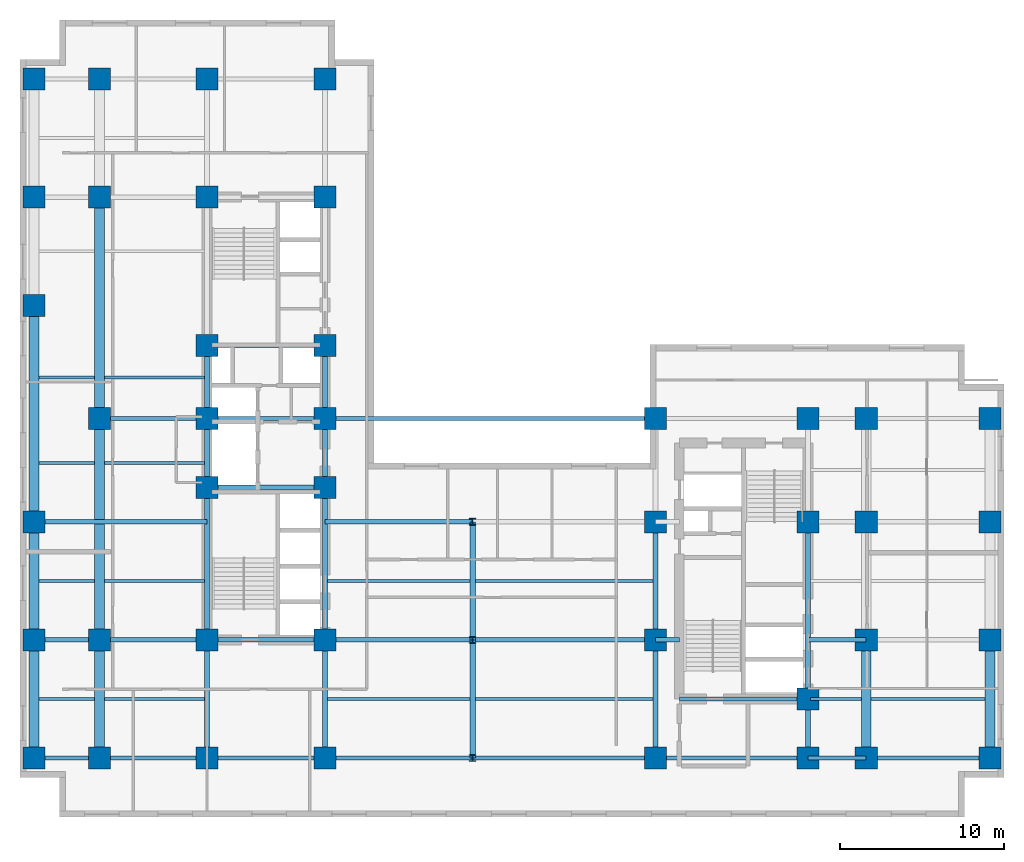
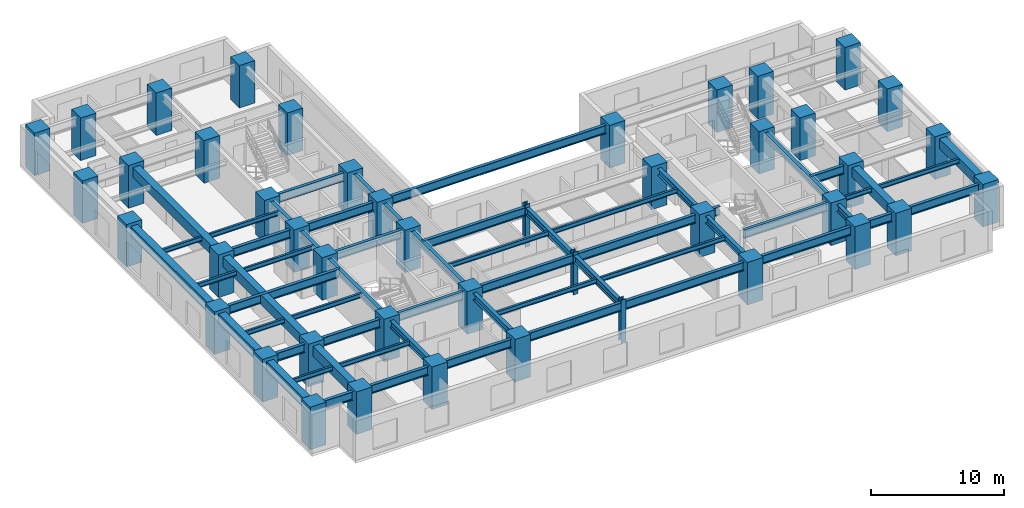
# One storey, part 1 of 10: 59 beams, 44 columns.
"""IFC4 building model written with IfcOpenShell, lengths in metres."""

from ifc_helpers import new_model, entity, si_unit, converted_unit, direction, frame, origin_with_axes, origin_2d_with_axis, place, context, subcontext, project, spatial, rectangle, i_section, extrude, material, material_profile, profile_set, type_object, element, save


model = new_model("IFC4")

# Units and contexts
model_context = context("Model", 3, precision=1e-05, world=origin_with_axes(), true_north=direction((0.0, 1.0)))
body_context = subcontext(model_context, "Body", "Model", "MODEL_VIEW")
ifc_project = project(units=[si_unit("LENGTHUNIT", "METRE"), si_unit("AREAUNIT", "SQUARE_METRE"), si_unit("VOLUMEUNIT", "CUBIC_METRE"), converted_unit("PLANEANGLEUNIT", "DEGREE", entity("IfcPlaneAngleMeasure", 0.017453292519943295), si_unit("PLANEANGLEUNIT", "RADIAN"), dimensions=[0, 0, 0, 0, 0, 0, 0]), si_unit("MASSUNIT", "GRAM", prefix="KILO"), si_unit("THERMODYNAMICTEMPERATUREUNIT", "KELVIN")], contexts=[model_context])

# Site, building, storey
site_placement = place(None, origin_with_axes())
site = spatial("IfcSite", under=ifc_project, at=site_placement, CompositionType="ELEMENT")
building_placement = place(site_placement, origin_with_axes())
building = spatial("IfcBuilding", under=site, at=building_placement, Name="Varnlund Millrace Tower", CompositionType="ELEMENT")
storey_placement = place(building_placement, frame((0.0, 0.0, 75.6), z_axis=(0.0, 0.0, 1.0), x_axis=(1.0, 0.0, 0.0)))
storey = spatial("IfcBuildingStorey", under=building, at=storey_placement, Name="L18", CompositionType="ELEMENT", Elevation=75.6)

# Columns
ifc_material_1 = material(Name="Steel ASTM A913 Grade 65", Category="steel")
ifc_material_profile_1 = material_profile(ifc_material_1, i_section(OverallWidth=0.406, OverallDepth=0.416, WebThickness=0.0298, FlangeThickness=0.048, FilletRadius=0.022, at=origin_2d_with_axis()), Name="Steel ASTM A913 Grade 65")
ifc_profile_set_1 = profile_set([ifc_material_profile_1], Name="Steel ASTM A913 Grade 65")
column_type_1 = type_object("IfcColumnType", Name="Type-Col-Int-W14X257", PredefinedType="COLUMN", material=ifc_profile_set_1)
for number, where, z_axis, x_axis, name in (
    (1, (27.6, 3.6, 0.0), (0.0, 0.0, 1.0), (1.0, 0.0, 0.0), "Type-Col-Int-W14X257"),
    (2, (27.6, 10.8, 0.0), (0.0, 0.0, 1.0), (1.0, 0.0, 0.0), "Type-Col-Int-W14X257"),
    (3, (27.6, 18.0, 0.0), (0.0, 0.0, 1.0), (1.0, 0.0, 0.0), "Type-Col-Int-W14X257"),
):
    element("IfcColumn", number, at=place(storey_placement, frame(where, z_axis=z_axis, x_axis=x_axis)), inside=storey, type_object=column_type_1, Name=name, PredefinedType="COLUMN", context=body_context, shape_type="SweptSolid", body=[
        extrude(i_section(OverallWidth=0.406, OverallDepth=0.416, WebThickness=0.0298, FlangeThickness=0.048, FilletRadius=0.022, at=origin_2d_with_axis()), origin_with_axes(), (0.0, 0.0, 1.0), 3.9),
    ])
ifc_material_2 = material(Name="Concrete C80/95", Category="concrete")
ifc_material_profile_2 = material_profile(ifc_material_2, rectangle(XDim=1.35, YDim=1.35, at=origin_2d_with_axis()), Name="Concrete C80/95")
ifc_profile_set_2 = profile_set([ifc_material_profile_2], Name="Concrete C80/95")
column_type_2 = type_object("IfcColumnType", Name="Type-Col-RC1350-C80", PredefinedType="COLUMN", material=ifc_profile_set_2)
for number, where, z_axis, x_axis, name in (
    (4, (11.4, 3.6, 0.0), (0.0, 0.0, 1.0), (1.0, 0.0, 0.0), "Type-Col-RC1350-C80"),
    (5, (11.4, 10.8, 0.0), (0.0, 0.0, 1.0), (1.0, 0.0, 0.0), "Type-Col-RC1350-C80"),
    (6, (11.4, 20.1, 0.0), (0.0, 0.0, 1.0), (1.0, 0.0, 0.0), "Type-Col-RC1350-C80"),
    (7, (11.4, 24.3, 0.0), (0.0, 0.0, 1.0), (1.0, 0.0, 0.0), "Type-Col-RC1350-C80"),
    (8, (11.4, 28.75, 0.0), (0.0, 0.0, 1.0), (1.0, 0.0, 0.0), "Type-Col-RC1350-C80"),
    (9, (11.4, 37.8, 0.0), (0.0, 0.0, 1.0), (1.0, 0.0, 0.0), "Type-Col-RC1350-C80"),
    (10, (11.4, 45.0, 0.0), (0.0, 0.0, 1.0), (1.0, 0.0, 0.0), "Type-Col-RC1350-C80"),
    (11, (18.6, 3.6, 0.0), (0.0, 0.0, 1.0), (1.0, 0.0, 0.0), "Type-Col-RC1350-C80"),
    (12, (18.6, 10.8, 0.0), (0.0, 0.0, 1.0), (1.0, 0.0, 0.0), "Type-Col-RC1350-C80"),
    (13, (18.6, 20.1, 0.0), (0.0, 0.0, 1.0), (1.0, 0.0, 0.0), "Type-Col-RC1350-C80"),
    (14, (18.6, 24.3, 0.0), (0.0, 0.0, 1.0), (1.0, 0.0, 0.0), "Type-Col-RC1350-C80"),
    (15, (18.6, 28.75, 0.0), (0.0, 0.0, 1.0), (1.0, 0.0, 0.0), "Type-Col-RC1350-C80"),
    (16, (18.6, 37.8, 0.0), (0.0, 0.0, 1.0), (1.0, 0.0, 0.0), "Type-Col-RC1350-C80"),
    (17, (18.6, 45.0, 0.0), (0.0, 0.0, 1.0), (1.0, 0.0, 0.0), "Type-Col-RC1350-C80"),
    (18, (4.85, 3.6, 0.0), (0.0, 0.0, 1.0), (1.0, 0.0, 0.0), "Type-Col-RC1350-C80"),
    (19, (4.85, 10.8, 0.0), (0.0, 0.0, 1.0), (1.0, 0.0, 0.0), "Type-Col-RC1350-C80"),
    (20, (4.85, 24.3, 0.0), (0.0, 0.0, 1.0), (1.0, 0.0, 0.0), "Type-Col-RC1350-C80"),
    (21, (4.85, 37.8, 0.0), (0.0, 0.0, 1.0), (1.0, 0.0, 0.0), "Type-Col-RC1350-C80"),
    (22, (4.85, 45.0, 0.0), (0.0, 0.0, 1.0), (1.0, 0.0, 0.0), "Type-Col-RC1350-C80"),
    (23, (0.85, 3.6, 0.0), (0.0, 0.0, 1.0), (1.0, 0.0, 0.0), "Type-Col-RC1350-C80"),
    (24, (0.85, 10.8, 0.0), (0.0, 0.0, 1.0), (1.0, 0.0, 0.0), "Type-Col-RC1350-C80"),
    (25, (0.85, 18.0, 0.0), (0.0, 0.0, 1.0), (1.0, 0.0, 0.0), "Type-Col-RC1350-C80"),
    (26, (0.85, 31.2, 0.0), (0.0, 0.0, 1.0), (1.0, 0.0, 0.0), "Type-Col-RC1350-C80"),
    (27, (0.85, 37.8, 0.0), (0.0, 0.0, 1.0), (1.0, 0.0, 0.0), "Type-Col-RC1350-C80"),
    (28, (0.85, 45.0, 0.0), (0.0, 0.0, 1.0), (1.0, 0.0, 0.0), "Type-Col-RC1350-C80"),
    (29, (38.75, 3.6, 0.0), (0.0, 0.0, 1.0), (1.0, 0.0, 0.0), "Type-Col-RC1350-C80"),
    (30, (38.75, 10.8, 0.0), (0.0, 0.0, 1.0), (1.0, 0.0, 0.0), "Type-Col-RC1350-C80"),
    (31, (38.75, 18.0, 0.0), (0.0, 0.0, 1.0), (1.0, 0.0, 0.0), "Type-Col-RC1350-C80"),
    (32, (38.75, 24.3, 0.0), (0.0, 0.0, 1.0), (1.0, 0.0, 0.0), "Type-Col-RC1350-C80"),
    (33, (48.05, 3.6, 0.0), (0.0, 0.0, 1.0), (1.0, 0.0, 0.0), "Type-Col-RC1350-C80"),
    (34, (48.05, 7.2, 0.0), (0.0, 0.0, 1.0), (1.0, 0.0, 0.0), "Type-Col-RC1350-C80"),
    (35, (48.05, 18.0, 0.0), (0.0, 0.0, 1.0), (1.0, 0.0, 0.0), "Type-Col-RC1350-C80"),
    (36, (48.05, 24.3, 0.0), (0.0, 0.0, 1.0), (1.0, 0.0, 0.0), "Type-Col-RC1350-C80"),
    (37, (51.6, 3.6, 0.0), (0.0, 0.0, 1.0), (1.0, 0.0, 0.0), "Type-Col-RC1350-C80"),
    (38, (51.6, 10.8, 0.0), (0.0, 0.0, 1.0), (1.0, 0.0, 0.0), "Type-Col-RC1350-C80"),
    (39, (51.6, 18.0, 0.0), (0.0, 0.0, 1.0), (1.0, 0.0, 0.0), "Type-Col-RC1350-C80"),
    (40, (51.6, 24.3, 0.0), (0.0, 0.0, 1.0), (1.0, 0.0, 0.0), "Type-Col-RC1350-C80"),
    (41, (59.15, 3.6, 0.0), (0.0, 0.0, 1.0), (1.0, 0.0, 0.0), "Type-Col-RC1350-C80"),
    (42, (59.15, 10.8, 0.0), (0.0, 0.0, 1.0), (1.0, 0.0, 0.0), "Type-Col-RC1350-C80"),
    (43, (59.15, 18.0, 0.0), (0.0, 0.0, 1.0), (1.0, 0.0, 0.0), "Type-Col-RC1350-C80"),
    (44, (59.15, 24.3, 0.0), (0.0, 0.0, 1.0), (1.0, 0.0, 0.0), "Type-Col-RC1350-C80"),
):
    element("IfcColumn", number, at=place(storey_placement, frame(where, z_axis=z_axis, x_axis=x_axis)), inside=storey, type_object=column_type_2, Name=name, PredefinedType="COLUMN", context=body_context, shape_type="SweptSolid", body=[
        extrude(rectangle(XDim=1.35, YDim=1.35, at=origin_2d_with_axis()), origin_with_axes(), (0.0, 0.0, 1.0), 3.9),
    ])

# Beams
ifc_material_3 = material(Name="Steel ASTM A992 Grade 50", Category="steel")
ifc_material_profile_3 = material_profile(ifc_material_3, i_section(OverallWidth=0.328, OverallDepth=0.628, WebThickness=0.0165, FlangeThickness=0.0277, FilletRadius=0.018, at=origin_2d_with_axis()), Name="Steel ASTM A992 Grade 50")
ifc_profile_set_3 = profile_set([ifc_material_profile_3], Name="Steel ASTM A992 Grade 50")
beam_type_1 = type_object("IfcBeamType", Name="Type-Girder-W24X146", PredefinedType="USERDEFINED", material=ifc_profile_set_3)
beam_1_placement = place(storey_placement, frame((11.4, 3.6, 3.286), z_axis=(0.0, 1.0, 0.0), x_axis=(-1.0, 0.0, 0.0)))
element("IfcBeam", 45, at=beam_1_placement, inside=storey, type_object=beam_type_1, Name="Type-Girder-W24X146", ObjectType="GIRDER", PredefinedType="USERDEFINED", context=body_context, shape_type="SweptSolid", body=[
    extrude(i_section(OverallWidth=0.328, OverallDepth=0.628, WebThickness=0.0165, FlangeThickness=0.0277, FilletRadius=0.018, at=origin_2d_with_axis()), origin_with_axes(), (0.0, 0.0, 1.0), 7.2),
])
beam_2_placement = place(storey_placement, frame((11.4, 10.8, 3.286), z_axis=(0.0, 1.0, 0.0), x_axis=(-1.0, 0.0, 0.0)))
element("IfcBeam", 46, at=beam_2_placement, inside=storey, type_object=beam_type_1, Name="Type-Girder-W24X146", ObjectType="GIRDER", PredefinedType="USERDEFINED", context=body_context, shape_type="SweptSolid", body=[
    extrude(i_section(OverallWidth=0.328, OverallDepth=0.628, WebThickness=0.0165, FlangeThickness=0.0277, FilletRadius=0.018, at=origin_2d_with_axis()), origin_with_axes(), (0.0, 0.0, 1.0), 9.3),
])
beam_3_placement = place(storey_placement, frame((11.4, 20.1, 3.286), z_axis=(0.0, 1.0, 0.0), x_axis=(-1.0, 0.0, 0.0)))
element("IfcBeam", 47, at=beam_3_placement, inside=storey, type_object=beam_type_1, Name="Type-Girder-W24X146", ObjectType="GIRDER", PredefinedType="USERDEFINED", context=body_context, shape_type="SweptSolid", body=[
    extrude(i_section(OverallWidth=0.328, OverallDepth=0.628, WebThickness=0.0165, FlangeThickness=0.0277, FilletRadius=0.018, at=origin_2d_with_axis()), origin_with_axes(), (0.0, 0.0, 1.0), 4.2),
])
beam_4_placement = place(storey_placement, frame((11.4, 24.3, 3.286), z_axis=(0.0, 1.0, 0.0), x_axis=(-1.0, 0.0, 0.0)))
element("IfcBeam", 48, at=beam_4_placement, inside=storey, type_object=beam_type_1, Name="Type-Girder-W24X146", ObjectType="GIRDER", PredefinedType="USERDEFINED", context=body_context, shape_type="SweptSolid", body=[
    extrude(i_section(OverallWidth=0.328, OverallDepth=0.628, WebThickness=0.0165, FlangeThickness=0.0277, FilletRadius=0.018, at=origin_2d_with_axis()), origin_with_axes(), (0.0, 0.0, 1.0), 4.45),
])
beam_5_placement = place(storey_placement, frame((18.6, 3.6, 3.286), z_axis=(0.0, 1.0, 0.0), x_axis=(-1.0, 0.0, 0.0)))
element("IfcBeam", 49, at=beam_5_placement, inside=storey, type_object=beam_type_1, Name="Type-Girder-W24X146", ObjectType="GIRDER", PredefinedType="USERDEFINED", context=body_context, shape_type="SweptSolid", body=[
    extrude(i_section(OverallWidth=0.328, OverallDepth=0.628, WebThickness=0.0165, FlangeThickness=0.0277, FilletRadius=0.018, at=origin_2d_with_axis()), origin_with_axes(), (0.0, 0.0, 1.0), 7.2),
])
beam_6_placement = place(storey_placement, frame((18.6, 10.8, 3.286), z_axis=(0.0, 1.0, 0.0), x_axis=(-1.0, 0.0, 0.0)))
element("IfcBeam", 50, at=beam_6_placement, inside=storey, type_object=beam_type_1, Name="Type-Girder-W24X146", ObjectType="GIRDER", PredefinedType="USERDEFINED", context=body_context, shape_type="SweptSolid", body=[
    extrude(i_section(OverallWidth=0.328, OverallDepth=0.628, WebThickness=0.0165, FlangeThickness=0.0277, FilletRadius=0.018, at=origin_2d_with_axis()), origin_with_axes(), (0.0, 0.0, 1.0), 9.3),
])
beam_7_placement = place(storey_placement, frame((18.6, 20.1, 3.286), z_axis=(0.0, 1.0, 0.0), x_axis=(-1.0, 0.0, 0.0)))
element("IfcBeam", 51, at=beam_7_placement, inside=storey, type_object=beam_type_1, Name="Type-Girder-W24X146", ObjectType="GIRDER", PredefinedType="USERDEFINED", context=body_context, shape_type="SweptSolid", body=[
    extrude(i_section(OverallWidth=0.328, OverallDepth=0.628, WebThickness=0.0165, FlangeThickness=0.0277, FilletRadius=0.018, at=origin_2d_with_axis()), origin_with_axes(), (0.0, 0.0, 1.0), 4.2),
])
beam_8_placement = place(storey_placement, frame((18.6, 24.3, 3.286), z_axis=(0.0, 1.0, 0.0), x_axis=(-1.0, 0.0, 0.0)))
element("IfcBeam", 52, at=beam_8_placement, inside=storey, type_object=beam_type_1, Name="Type-Girder-W24X146", ObjectType="GIRDER", PredefinedType="USERDEFINED", context=body_context, shape_type="SweptSolid", body=[
    extrude(i_section(OverallWidth=0.328, OverallDepth=0.628, WebThickness=0.0165, FlangeThickness=0.0277, FilletRadius=0.018, at=origin_2d_with_axis()), origin_with_axes(), (0.0, 0.0, 1.0), 4.45),
])
for number, where, z_axis, x_axis, name in (
    (53, (27.6, 3.6, 3.286), (0.0, 1.0, 0.0), (-1.0, 0.0, 0.0), "Type-Girder-W24X146"),
    (54, (27.6, 10.8, 3.286), (0.0, 1.0, 0.0), (-1.0, 0.0, 0.0), "Type-Girder-W24X146"),
    (55, (38.75, 3.6, 3.286), (0.0, 1.0, 0.0), (-1.0, 0.0, 0.0), "Type-Girder-W24X146"),
    (56, (38.75, 10.8, 3.286), (0.0, 1.0, 0.0), (-1.0, 0.0, 0.0), "Type-Girder-W24X146"),
):
    element("IfcBeam", number, at=place(storey_placement, frame(where, z_axis=z_axis, x_axis=x_axis)), inside=storey, type_object=beam_type_1, Name=name, ObjectType="GIRDER", PredefinedType="USERDEFINED", context=body_context, shape_type="SweptSolid", body=[
        extrude(i_section(OverallWidth=0.328, OverallDepth=0.628, WebThickness=0.0165, FlangeThickness=0.0277, FilletRadius=0.018, at=origin_2d_with_axis()), origin_with_axes(), (0.0, 0.0, 1.0), 7.2),
    ])
beam_9_placement = place(storey_placement, frame((48.05, 3.6, 3.286), z_axis=(0.0, 1.0, 0.0), x_axis=(-1.0, 0.0, 0.0)))
element("IfcBeam", 57, at=beam_9_placement, inside=storey, type_object=beam_type_1, Name="Type-Girder-W24X146", ObjectType="GIRDER", PredefinedType="USERDEFINED", context=body_context, shape_type="SweptSolid", body=[
    extrude(i_section(OverallWidth=0.328, OverallDepth=0.628, WebThickness=0.0165, FlangeThickness=0.0277, FilletRadius=0.018, at=origin_2d_with_axis()), origin_with_axes(), (0.0, 0.0, 1.0), 3.6),
])
beam_10_placement = place(storey_placement, frame((48.05, 7.2, 3.286), z_axis=(0.0, 1.0, 0.0), x_axis=(-1.0, 0.0, 0.0)))
element("IfcBeam", 58, at=beam_10_placement, inside=storey, type_object=beam_type_1, Name="Type-Girder-W24X146", ObjectType="GIRDER", PredefinedType="USERDEFINED", context=body_context, shape_type="SweptSolid", body=[
    extrude(i_section(OverallWidth=0.328, OverallDepth=0.628, WebThickness=0.0165, FlangeThickness=0.0277, FilletRadius=0.018, at=origin_2d_with_axis()), origin_with_axes(), (0.0, 0.0, 1.0), 10.8),
])
ifc_material_profile_4 = material_profile(ifc_material_3, i_section(OverallWidth=0.266, OverallDepth=0.779, WebThickness=0.0165, FlangeThickness=0.03, FilletRadius=0.02, at=origin_2d_with_axis()), Name="Steel ASTM A992 Grade 50")
ifc_profile_set_4 = profile_set([ifc_material_profile_4], Name="Steel ASTM A992 Grade 50")
beam_type_2 = type_object("IfcBeamType", Name="Type-Girder-W30X148", PredefinedType="USERDEFINED", material=ifc_profile_set_4)
beam_11_placement = place(storey_placement, frame((0.85, 3.6, 3.2105), z_axis=(1.0, 0.0, 0.0), x_axis=(0.0, 1.0, 0.0)))
element("IfcBeam", 59, at=beam_11_placement, inside=storey, type_object=beam_type_2, Name="Type-Girder-W30X148", ObjectType="GIRDER", PredefinedType="USERDEFINED", context=body_context, shape_type="SweptSolid", body=[
    extrude(i_section(OverallWidth=0.266, OverallDepth=0.779, WebThickness=0.0165, FlangeThickness=0.03, FilletRadius=0.02, at=origin_2d_with_axis()), origin_with_axes(), (0.0, 0.0, 1.0), 4.0),
])
beam_12_placement = place(storey_placement, frame((4.85, 3.6, 3.2105), z_axis=(1.0, 0.0, 0.0), x_axis=(0.0, 1.0, 0.0)))
element("IfcBeam", 60, at=beam_12_placement, inside=storey, type_object=beam_type_2, Name="Type-Girder-W30X148", ObjectType="GIRDER", PredefinedType="USERDEFINED", context=body_context, shape_type="SweptSolid", body=[
    extrude(i_section(OverallWidth=0.266, OverallDepth=0.779, WebThickness=0.0165, FlangeThickness=0.03, FilletRadius=0.02, at=origin_2d_with_axis()), origin_with_axes(), (0.0, 0.0, 1.0), 6.55),
])
beam_13_placement = place(storey_placement, frame((11.4, 3.6, 3.2105), z_axis=(1.0, 0.0, 0.0), x_axis=(0.0, 1.0, 0.0)))
element("IfcBeam", 61, at=beam_13_placement, inside=storey, type_object=beam_type_2, Name="Type-Girder-W30X148", ObjectType="GIRDER", PredefinedType="USERDEFINED", context=body_context, shape_type="SweptSolid", body=[
    extrude(i_section(OverallWidth=0.266, OverallDepth=0.779, WebThickness=0.0165, FlangeThickness=0.03, FilletRadius=0.02, at=origin_2d_with_axis()), origin_with_axes(), (0.0, 0.0, 1.0), 7.2),
])
beam_14_placement = place(storey_placement, frame((18.6, 3.6, 3.2105), z_axis=(1.0, 0.0, 0.0), x_axis=(0.0, 1.0, 0.0)))
element("IfcBeam", 62, at=beam_14_placement, inside=storey, type_object=beam_type_2, Name="Type-Girder-W30X148", ObjectType="GIRDER", PredefinedType="USERDEFINED", context=body_context, shape_type="SweptSolid", body=[
    extrude(i_section(OverallWidth=0.266, OverallDepth=0.779, WebThickness=0.0165, FlangeThickness=0.03, FilletRadius=0.02, at=origin_2d_with_axis()), origin_with_axes(), (0.0, 0.0, 1.0), 9.0),
])
beam_15_placement = place(storey_placement, frame((27.6, 3.6, 3.2105), z_axis=(1.0, 0.0, 0.0), x_axis=(0.0, 1.0, 0.0)))
element("IfcBeam", 63, at=beam_15_placement, inside=storey, type_object=beam_type_2, Name="Type-Girder-W30X148", ObjectType="GIRDER", PredefinedType="USERDEFINED", context=body_context, shape_type="SweptSolid", body=[
    extrude(i_section(OverallWidth=0.266, OverallDepth=0.779, WebThickness=0.0165, FlangeThickness=0.03, FilletRadius=0.02, at=origin_2d_with_axis()), origin_with_axes(), (0.0, 0.0, 1.0), 11.15),
])
beam_16_placement = place(storey_placement, frame((38.75, 3.6, 3.2105), z_axis=(1.0, 0.0, 0.0), x_axis=(0.0, 1.0, 0.0)))
element("IfcBeam", 64, at=beam_16_placement, inside=storey, type_object=beam_type_2, Name="Type-Girder-W30X148", ObjectType="GIRDER", PredefinedType="USERDEFINED", context=body_context, shape_type="SweptSolid", body=[
    extrude(i_section(OverallWidth=0.266, OverallDepth=0.779, WebThickness=0.0165, FlangeThickness=0.03, FilletRadius=0.02, at=origin_2d_with_axis()), origin_with_axes(), (0.0, 0.0, 1.0), 9.3),
])
beam_17_placement = place(storey_placement, frame((48.05, 3.6, 3.2105), z_axis=(1.0, 0.0, 0.0), x_axis=(0.0, 1.0, 0.0)))
element("IfcBeam", 65, at=beam_17_placement, inside=storey, type_object=beam_type_2, Name="Type-Girder-W30X148", ObjectType="GIRDER", PredefinedType="USERDEFINED", context=body_context, shape_type="SweptSolid", body=[
    extrude(i_section(OverallWidth=0.266, OverallDepth=0.779, WebThickness=0.0165, FlangeThickness=0.03, FilletRadius=0.02, at=origin_2d_with_axis()), origin_with_axes(), (0.0, 0.0, 1.0), 3.55),
])
beam_18_placement = place(storey_placement, frame((51.6, 3.6, 3.2105), z_axis=(1.0, 0.0, 0.0), x_axis=(0.0, 1.0, 0.0)))
element("IfcBeam", 66, at=beam_18_placement, inside=storey, type_object=beam_type_2, Name="Type-Girder-W30X148", ObjectType="GIRDER", PredefinedType="USERDEFINED", context=body_context, shape_type="SweptSolid", body=[
    extrude(i_section(OverallWidth=0.266, OverallDepth=0.779, WebThickness=0.0165, FlangeThickness=0.03, FilletRadius=0.02, at=origin_2d_with_axis()), origin_with_axes(), (0.0, 0.0, 1.0), 7.55),
])
beam_19_placement = place(storey_placement, frame((40.2, 7.2, 3.2105), z_axis=(1.0, 0.0, 0.0), x_axis=(0.0, 1.0, 0.0)))
element("IfcBeam", 67, at=beam_19_placement, inside=storey, type_object=beam_type_2, Name="Type-Girder-W30X148", ObjectType="GIRDER", PredefinedType="USERDEFINED", context=body_context, shape_type="SweptSolid", body=[
    extrude(i_section(OverallWidth=0.266, OverallDepth=0.779, WebThickness=0.0165, FlangeThickness=0.03, FilletRadius=0.02, at=origin_2d_with_axis()), origin_with_axes(), (0.0, 0.0, 1.0), 7.85),
])
beam_20_placement = place(storey_placement, frame((0.85, 10.8, 3.2105), z_axis=(1.0, 0.0, 0.0), x_axis=(0.0, 1.0, 0.0)))
element("IfcBeam", 68, at=beam_20_placement, inside=storey, type_object=beam_type_2, Name="Type-Girder-W30X148", ObjectType="GIRDER", PredefinedType="USERDEFINED", context=body_context, shape_type="SweptSolid", body=[
    extrude(i_section(OverallWidth=0.266, OverallDepth=0.779, WebThickness=0.0165, FlangeThickness=0.03, FilletRadius=0.02, at=origin_2d_with_axis()), origin_with_axes(), (0.0, 0.0, 1.0), 4.0),
])
beam_21_placement = place(storey_placement, frame((4.85, 10.8, 3.2105), z_axis=(1.0, 0.0, 0.0), x_axis=(0.0, 1.0, 0.0)))
element("IfcBeam", 69, at=beam_21_placement, inside=storey, type_object=beam_type_2, Name="Type-Girder-W30X148", ObjectType="GIRDER", PredefinedType="USERDEFINED", context=body_context, shape_type="SweptSolid", body=[
    extrude(i_section(OverallWidth=0.266, OverallDepth=0.779, WebThickness=0.0165, FlangeThickness=0.03, FilletRadius=0.02, at=origin_2d_with_axis()), origin_with_axes(), (0.0, 0.0, 1.0), 6.55),
])
beam_22_placement = place(storey_placement, frame((11.4, 10.8, 3.2105), z_axis=(1.0, 0.0, 0.0), x_axis=(0.0, 1.0, 0.0)))
element("IfcBeam", 70, at=beam_22_placement, inside=storey, type_object=beam_type_2, Name="Type-Girder-W30X148", ObjectType="GIRDER", PredefinedType="USERDEFINED", context=body_context, shape_type="SweptSolid", body=[
    extrude(i_section(OverallWidth=0.266, OverallDepth=0.779, WebThickness=0.0165, FlangeThickness=0.03, FilletRadius=0.02, at=origin_2d_with_axis()), origin_with_axes(), (0.0, 0.0, 1.0), 7.2),
])
beam_23_placement = place(storey_placement, frame((18.6, 10.8, 3.2105), z_axis=(1.0, 0.0, 0.0), x_axis=(0.0, 1.0, 0.0)))
element("IfcBeam", 71, at=beam_23_placement, inside=storey, type_object=beam_type_2, Name="Type-Girder-W30X148", ObjectType="GIRDER", PredefinedType="USERDEFINED", context=body_context, shape_type="SweptSolid", body=[
    extrude(i_section(OverallWidth=0.266, OverallDepth=0.779, WebThickness=0.0165, FlangeThickness=0.03, FilletRadius=0.02, at=origin_2d_with_axis()), origin_with_axes(), (0.0, 0.0, 1.0), 9.0),
])
beam_24_placement = place(storey_placement, frame((27.6, 10.8, 3.2105), z_axis=(1.0, 0.0, 0.0), x_axis=(0.0, 1.0, 0.0)))
element("IfcBeam", 72, at=beam_24_placement, inside=storey, type_object=beam_type_2, Name="Type-Girder-W30X148", ObjectType="GIRDER", PredefinedType="USERDEFINED", context=body_context, shape_type="SweptSolid", body=[
    extrude(i_section(OverallWidth=0.266, OverallDepth=0.779, WebThickness=0.0165, FlangeThickness=0.03, FilletRadius=0.02, at=origin_2d_with_axis()), origin_with_axes(), (0.0, 0.0, 1.0), 11.15),
])
beam_25_placement = place(storey_placement, frame((38.75, 10.8, 3.2105), z_axis=(1.0, 0.0, 0.0), x_axis=(0.0, 1.0, 0.0)))
element("IfcBeam", 73, at=beam_25_placement, inside=storey, type_object=beam_type_2, Name="Type-Girder-W30X148", ObjectType="GIRDER", PredefinedType="USERDEFINED", context=body_context, shape_type="SweptSolid", body=[
    extrude(i_section(OverallWidth=0.266, OverallDepth=0.779, WebThickness=0.0165, FlangeThickness=0.03, FilletRadius=0.02, at=origin_2d_with_axis()), origin_with_axes(), (0.0, 0.0, 1.0), 1.45),
])
beam_26_placement = place(storey_placement, frame((48.05, 10.8, 3.2105), z_axis=(1.0, 0.0, 0.0), x_axis=(0.0, 1.0, 0.0)))
element("IfcBeam", 74, at=beam_26_placement, inside=storey, type_object=beam_type_2, Name="Type-Girder-W30X148", ObjectType="GIRDER", PredefinedType="USERDEFINED", context=body_context, shape_type="SweptSolid", body=[
    extrude(i_section(OverallWidth=0.266, OverallDepth=0.779, WebThickness=0.0165, FlangeThickness=0.03, FilletRadius=0.02, at=origin_2d_with_axis()), origin_with_axes(), (0.0, 0.0, 1.0), 3.55),
])
beam_27_placement = place(storey_placement, frame((0.85, 18.0, 3.2105), z_axis=(1.0, 0.0, 0.0), x_axis=(0.0, 1.0, 0.0)))
element("IfcBeam", 75, at=beam_27_placement, inside=storey, type_object=beam_type_2, Name="Type-Girder-W30X148", ObjectType="GIRDER", PredefinedType="USERDEFINED", context=body_context, shape_type="SweptSolid", body=[
    extrude(i_section(OverallWidth=0.266, OverallDepth=0.779, WebThickness=0.0165, FlangeThickness=0.03, FilletRadius=0.02, at=origin_2d_with_axis()), origin_with_axes(), (0.0, 0.0, 1.0), 10.55),
])
beam_28_placement = place(storey_placement, frame((18.6, 18.0, 3.2105), z_axis=(1.0, 0.0, 0.0), x_axis=(0.0, 1.0, 0.0)))
element("IfcBeam", 76, at=beam_28_placement, inside=storey, type_object=beam_type_2, Name="Type-Girder-W30X148", ObjectType="GIRDER", PredefinedType="USERDEFINED", context=body_context, shape_type="SweptSolid", body=[
    extrude(i_section(OverallWidth=0.266, OverallDepth=0.779, WebThickness=0.0165, FlangeThickness=0.03, FilletRadius=0.02, at=origin_2d_with_axis()), origin_with_axes(), (0.0, 0.0, 1.0), 9.0),
])
beam_29_placement = place(storey_placement, frame((11.4, 20.1, 3.2105), z_axis=(1.0, 0.0, 0.0), x_axis=(0.0, 1.0, 0.0)))
element("IfcBeam", 77, at=beam_29_placement, inside=storey, type_object=beam_type_2, Name="Type-Girder-W30X148", ObjectType="GIRDER", PredefinedType="USERDEFINED", context=body_context, shape_type="SweptSolid", body=[
    extrude(i_section(OverallWidth=0.266, OverallDepth=0.779, WebThickness=0.0165, FlangeThickness=0.03, FilletRadius=0.02, at=origin_2d_with_axis()), origin_with_axes(), (0.0, 0.0, 1.0), 7.2),
])
beam_30_placement = place(storey_placement, frame((4.85, 24.3, 3.2105), z_axis=(1.0, 0.0, 0.0), x_axis=(0.0, 1.0, 0.0)))
element("IfcBeam", 78, at=beam_30_placement, inside=storey, type_object=beam_type_2, Name="Type-Girder-W30X148", ObjectType="GIRDER", PredefinedType="USERDEFINED", context=body_context, shape_type="SweptSolid", body=[
    extrude(i_section(OverallWidth=0.266, OverallDepth=0.779, WebThickness=0.0165, FlangeThickness=0.03, FilletRadius=0.02, at=origin_2d_with_axis()), origin_with_axes(), (0.0, 0.0, 1.0), 6.55),
])
beam_31_placement = place(storey_placement, frame((11.4, 24.3, 3.2105), z_axis=(1.0, 0.0, 0.0), x_axis=(0.0, 1.0, 0.0)))
element("IfcBeam", 79, at=beam_31_placement, inside=storey, type_object=beam_type_2, Name="Type-Girder-W30X148", ObjectType="GIRDER", PredefinedType="USERDEFINED", context=body_context, shape_type="SweptSolid", body=[
    extrude(i_section(OverallWidth=0.266, OverallDepth=0.779, WebThickness=0.0165, FlangeThickness=0.03, FilletRadius=0.02, at=origin_2d_with_axis()), origin_with_axes(), (0.0, 0.0, 1.0), 7.2),
])
beam_32_placement = place(storey_placement, frame((18.6, 24.3, 3.2105), z_axis=(1.0, 0.0, 0.0), x_axis=(0.0, 1.0, 0.0)))
element("IfcBeam", 80, at=beam_32_placement, inside=storey, type_object=beam_type_2, Name="Type-Girder-W30X148", ObjectType="GIRDER", PredefinedType="USERDEFINED", context=body_context, shape_type="SweptSolid", body=[
    extrude(i_section(OverallWidth=0.266, OverallDepth=0.779, WebThickness=0.0165, FlangeThickness=0.03, FilletRadius=0.02, at=origin_2d_with_axis()), origin_with_axes(), (0.0, 0.0, 1.0), 20.15),
])
beam_33_placement = place(storey_placement, frame((11.4, 28.75, 3.2105), z_axis=(1.0, 0.0, 0.0), x_axis=(0.0, 1.0, 0.0)))
element("IfcBeam", 81, at=beam_33_placement, inside=storey, type_object=beam_type_2, Name="Type-Girder-W30X148", ObjectType="GIRDER", PredefinedType="USERDEFINED", context=body_context, shape_type="SweptSolid", body=[
    extrude(i_section(OverallWidth=0.266, OverallDepth=0.779, WebThickness=0.0165, FlangeThickness=0.03, FilletRadius=0.02, at=origin_2d_with_axis()), origin_with_axes(), (0.0, 0.0, 1.0), 7.2),
])
ifc_material_profile_5 = material_profile(ifc_material_3, i_section(OverallWidth=0.181, OverallDepth=0.417, WebThickness=0.0109, FlangeThickness=0.0182, FilletRadius=0.013, at=origin_2d_with_axis()), Name="Steel ASTM A992 Grade 50")
ifc_profile_set_5 = profile_set([ifc_material_profile_5], Name="Steel ASTM A992 Grade 50")
beam_type_3 = type_object("IfcBeamType", Name="Type-Joist-W16X57", PredefinedType="JOIST", material=ifc_profile_set_5)
for number, where, z_axis, x_axis, name in (
    (82, (1.15, 7.2, 3.3915), (1.0, 0.0, 0.0), (0.0, 1.0, 0.0), "Type-Joist-W16X57"),
    (83, (1.15, 14.4, 3.3915), (1.0, 0.0, 0.0), (0.0, 1.0, 0.0), "Type-Joist-W16X57"),
    (84, (1.15, 21.6, 3.3915), (1.0, 0.0, 0.0), (0.0, 1.0, 0.0), "Type-Joist-W16X57"),
    (85, (1.15, 26.8, 3.3915), (1.0, 0.0, 0.0), (0.0, 1.0, 0.0), "Type-Joist-W16X57"),
):
    element("IfcBeam", number, at=place(storey_placement, frame(where, z_axis=z_axis, x_axis=x_axis)), inside=storey, type_object=beam_type_3, Name=name, PredefinedType="JOIST", context=body_context, shape_type="SweptSolid", body=[
        extrude(i_section(OverallWidth=0.181, OverallDepth=0.417, WebThickness=0.0109, FlangeThickness=0.0182, FilletRadius=0.013, at=origin_2d_with_axis()), origin_with_axes(), (0.0, 0.0, 1.0), 3.4),
    ])
for number, where, z_axis, x_axis, name in (
    (86, (5.15, 7.2, 3.3915), (1.0, 0.0, 0.0), (0.0, 1.0, 0.0), "Type-Joist-W16X57"),
    (87, (5.15, 14.4, 3.3915), (1.0, 0.0, 0.0), (0.0, 1.0, 0.0), "Type-Joist-W16X57"),
    (88, (5.15, 21.6, 3.3915), (1.0, 0.0, 0.0), (0.0, 1.0, 0.0), "Type-Joist-W16X57"),
    (89, (5.15, 26.8, 3.3915), (1.0, 0.0, 0.0), (0.0, 1.0, 0.0), "Type-Joist-W16X57"),
):
    element("IfcBeam", number, at=place(storey_placement, frame(where, z_axis=z_axis, x_axis=x_axis)), inside=storey, type_object=beam_type_3, Name=name, PredefinedType="JOIST", context=body_context, shape_type="SweptSolid", body=[
        extrude(i_section(OverallWidth=0.181, OverallDepth=0.417, WebThickness=0.0109, FlangeThickness=0.0182, FilletRadius=0.013, at=origin_2d_with_axis()), origin_with_axes(), (0.0, 0.0, 1.0), 6.086),
    ])
beam_34_placement = place(storey_placement, frame((48.214, 7.2, 3.3915), z_axis=(1.0, 0.0, 0.0), x_axis=(0.0, 1.0, 0.0)))
element("IfcBeam", 90, at=beam_34_placement, inside=storey, type_object=beam_type_3, Name="Type-Joist-W16X57", PredefinedType="JOIST", context=body_context, shape_type="SweptSolid", body=[
    extrude(i_section(OverallWidth=0.181, OverallDepth=0.417, WebThickness=0.0109, FlangeThickness=0.0182, FilletRadius=0.013, at=origin_2d_with_axis()), origin_with_axes(), (0.0, 0.0, 1.0), 3.086),
])
beam_35_placement = place(storey_placement, frame((51.9, 7.2, 3.3915), z_axis=(1.0, 0.0, 0.0), x_axis=(0.0, 1.0, 0.0)))
element("IfcBeam", 91, at=beam_35_placement, inside=storey, type_object=beam_type_3, Name="Type-Joist-W16X57", PredefinedType="JOIST", context=body_context, shape_type="SweptSolid", body=[
    extrude(i_section(OverallWidth=0.181, OverallDepth=0.417, WebThickness=0.0109, FlangeThickness=0.0182, FilletRadius=0.013, at=origin_2d_with_axis()), origin_with_axes(), (0.0, 0.0, 1.0), 6.95),
])
for number, where, z_axis, x_axis, name in (
    (92, (18.764, 7.2, 3.3915), (1.0, 0.0, 0.0), (0.0, 1.0, 0.0), "Type-Joist-W16X57"),
    (93, (18.764, 14.4, 3.3915), (1.0, 0.0, 0.0), (0.0, 1.0, 0.0), "Type-Joist-W16X57"),
):
    element("IfcBeam", number, at=place(storey_placement, frame(where, z_axis=z_axis, x_axis=x_axis)), inside=storey, type_object=beam_type_3, Name=name, PredefinedType="JOIST", context=body_context, shape_type="SweptSolid", body=[
        extrude(i_section(OverallWidth=0.181, OverallDepth=0.417, WebThickness=0.0109, FlangeThickness=0.0182, FilletRadius=0.013, at=origin_2d_with_axis()), origin_with_axes(), (0.0, 0.0, 1.0), 8.672),
    ])
for number, where, z_axis, x_axis, name in (
    (94, (27.764, 7.2, 3.3915), (1.0, 0.0, 0.0), (0.0, 1.0, 0.0), "Type-Joist-W16X57"),
    (95, (27.764, 14.4, 3.3915), (1.0, 0.0, 0.0), (0.0, 1.0, 0.0), "Type-Joist-W16X57"),
):
    element("IfcBeam", number, at=place(storey_placement, frame(where, z_axis=z_axis, x_axis=x_axis)), inside=storey, type_object=beam_type_3, Name=name, PredefinedType="JOIST", context=body_context, shape_type="SweptSolid", body=[
        extrude(i_section(OverallWidth=0.181, OverallDepth=0.417, WebThickness=0.0109, FlangeThickness=0.0182, FilletRadius=0.013, at=origin_2d_with_axis()), origin_with_axes(), (0.0, 0.0, 1.0), 10.822),
    ])
ifc_material_4 = material(Name="Concrete C70/85", Category="concrete")
ifc_material_profile_6 = material_profile(ifc_material_4, rectangle(XDim=0.6, YDim=0.9, at=origin_2d_with_axis()), Name="Concrete C70/85")
ifc_profile_set_6 = profile_set([ifc_material_profile_6], Name="Concrete C70/85")
beam_type_4 = type_object("IfcBeamType", Name="Type-Spandrel-RC600X900", PredefinedType="SPANDREL", material=ifc_profile_set_6)
for number, where, z_axis, x_axis, name in (
    (96, (0.85, 3.6, 3.15), (0.0, 1.0, 0.0), (-1.0, 0.0, 0.0), "Type-Spandrel-RC600X900"),
    (97, (0.85, 10.8, 3.15), (0.0, 1.0, 0.0), (-1.0, 0.0, 0.0), "Type-Spandrel-RC600X900"),
):
    element("IfcBeam", number, at=place(storey_placement, frame(where, z_axis=z_axis, x_axis=x_axis)), inside=storey, type_object=beam_type_4, Name=name, PredefinedType="SPANDREL", context=body_context, shape_type="SweptSolid", body=[
        extrude(rectangle(XDim=0.6, YDim=0.9, at=origin_2d_with_axis()), origin_with_axes(), (0.0, 0.0, 1.0), 7.2),
    ])
beam_36_placement = place(storey_placement, frame((0.85, 18.0, 3.15), z_axis=(0.0, 1.0, 0.0), x_axis=(-1.0, 0.0, 0.0)))
element("IfcBeam", 98, at=beam_36_placement, inside=storey, type_object=beam_type_4, Name="Type-Spandrel-RC600X900", PredefinedType="SPANDREL", context=body_context, shape_type="SweptSolid", body=[
    extrude(rectangle(XDim=0.6, YDim=0.9, at=origin_2d_with_axis()), origin_with_axes(), (0.0, 0.0, 1.0), 13.2),
])
beam_37_placement = place(storey_placement, frame((4.85, 3.6, 3.15), z_axis=(0.0, 1.0, 0.0), x_axis=(-1.0, 0.0, 0.0)))
element("IfcBeam", 99, at=beam_37_placement, inside=storey, type_object=beam_type_4, Name="Type-Spandrel-RC600X900", PredefinedType="SPANDREL", context=body_context, shape_type="SweptSolid", body=[
    extrude(rectangle(XDim=0.6, YDim=0.9, at=origin_2d_with_axis()), origin_with_axes(), (0.0, 0.0, 1.0), 7.2),
])
for number, where, z_axis, x_axis, name in (
    (100, (4.85, 10.8, 3.15), (0.0, 1.0, 0.0), (-1.0, 0.0, 0.0), "Type-Spandrel-RC600X900"),
    (101, (4.85, 24.3, 3.15), (0.0, 1.0, 0.0), (-1.0, 0.0, 0.0), "Type-Spandrel-RC600X900"),
):
    element("IfcBeam", number, at=place(storey_placement, frame(where, z_axis=z_axis, x_axis=x_axis)), inside=storey, type_object=beam_type_4, Name=name, PredefinedType="SPANDREL", context=body_context, shape_type="SweptSolid", body=[
        extrude(rectangle(XDim=0.6, YDim=0.9, at=origin_2d_with_axis()), origin_with_axes(), (0.0, 0.0, 1.0), 13.5),
    ])
for number, where, z_axis, x_axis, name in (
    (102, (51.6, 3.6, 3.15), (0.0, 1.0, 0.0), (-1.0, 0.0, 0.0), "Type-Spandrel-RC600X900"),
    (103, (59.15, 3.6, 3.15), (0.0, 1.0, 0.0), (-1.0, 0.0, 0.0), "Type-Spandrel-RC600X900"),
):
    element("IfcBeam", number, at=place(storey_placement, frame(where, z_axis=z_axis, x_axis=x_axis)), inside=storey, type_object=beam_type_4, Name=name, PredefinedType="SPANDREL", context=body_context, shape_type="SweptSolid", body=[
        extrude(rectangle(XDim=0.6, YDim=0.9, at=origin_2d_with_axis()), origin_with_axes(), (0.0, 0.0, 1.0), 7.2),
    ])

save(model, "model.ifc")
